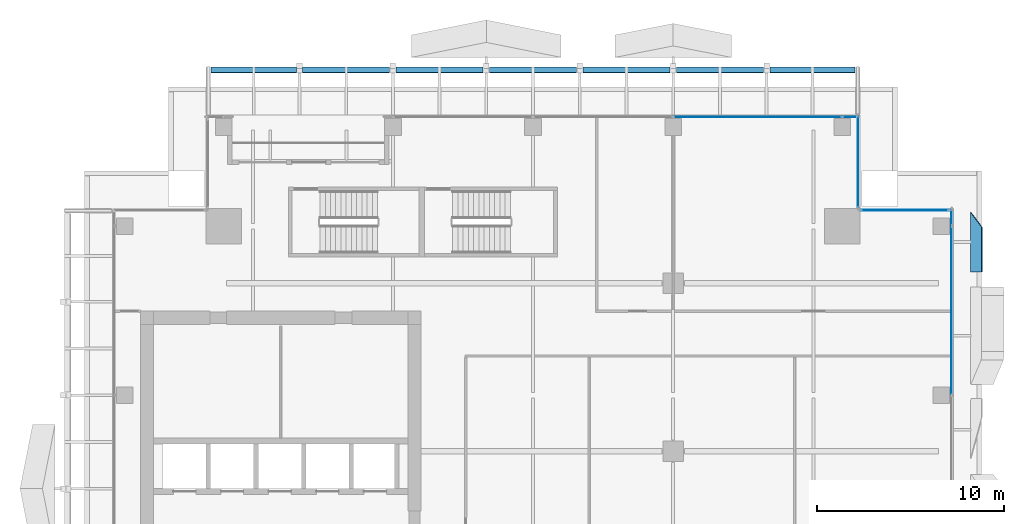
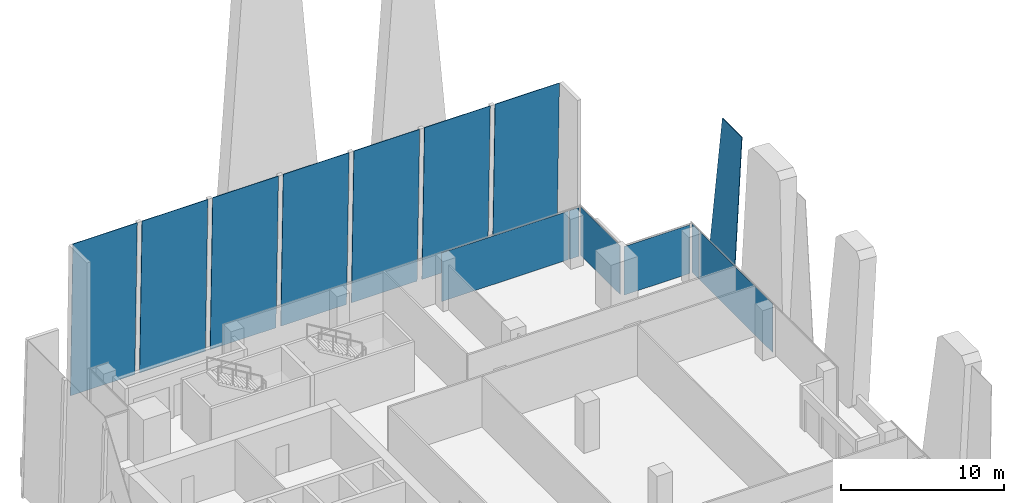
# One storey, part 25 of 33: 14 plates, 4 elements without a shape of their own.
"""IFC4 building model written with IfcOpenShell, lengths in metres."""

from ifc_helpers import new_model, si_unit, direction, frame, origin, origin_2d, place, context, subcontext, project, spatial, polyline, rectangle, outline, extrude, source, transform, mapped, material, layer, layer_set, type_object, element, aggregate, save


model = new_model("IFC4")

# Units and contexts
model_context = context("Model", 3, precision=1e-05, world=origin(), true_north=direction((0.0, 1.0)))
body_context = subcontext(model_context, "Body", "Model", "MODEL_VIEW")
ifc_project = project(units=[si_unit("LENGTHUNIT", "METRE"), si_unit("AREAUNIT", "SQUARE_METRE"), si_unit("VOLUMEUNIT", "CUBIC_METRE"), si_unit("PLANEANGLEUNIT", "RADIAN"), si_unit("MASSUNIT", "GRAM", prefix="KILO")], contexts=[model_context])

# Site, building, storey
site_placement = place(None, origin())
site = spatial("IfcSite", under=ifc_project, at=site_placement, CompositionType="ELEMENT")
building_placement = place(site_placement, origin())
building = spatial("IfcBuilding", under=site, at=building_placement, Name="Khomas Fold Tower", CompositionType="ELEMENT")
storey_placement = place(building_placement, frame((0.0, 0.0, 222.199951171875)))
storey = spatial("IfcBuildingStorey", under=building, at=storey_placement, Name="L49", CompositionType="ELEMENT", Elevation=222.199951171875)

# Plates
ifc_material_1 = material(Name="Clear laminated glass", Category="glass")
ifc_layer_1 = layer(ifc_material_1, 0.0400390625)
ifc_layer_set_1 = layer_set([ifc_layer_1], Name="Clear laminated glass")
plate_type_1 = type_object("IfcPlateType", Name="SK-Clear laminated glass leaf", PredefinedType="SHEET", material=ifc_layer_set_1)
plate_1_placement = place(storey_placement, frame((51.00537109375, 41.10009765625, 11.550048828125), z_axis=(-0.99862882819, 0.0, 0.052349436554), x_axis=(0.0, 1.0, 0.0)))
element("IfcPlate", 1, at=plate_1_placement, inside=storey, type_object=plate_type_1, Name="OUTER SKIN glass L49 EG104-3", PredefinedType="SHEET", context=body_context, shape_type="SweptSolid", body=[
    extrude(outline(polyline([(0.0, 0.0), (2.39990234375, 0.0), (3.199462890625, 11.565907674683308), (0.0, 11.565907674683308), (0.0, 0.0)])), origin(), (0.0, 0.0, -1.0), 0.0400390625),
])
plate_2_placement = place(storey_placement, frame((9.77001953125, 52.079345703125, 0.0009765625), z_axis=(0.0, 0.999657230839, 0.026180543005), x_axis=(1.0, 0.0, 0.0)))
element("IfcPlate", 2, at=plate_2_placement, inside=storey, type_object=plate_type_1, Name="OUTER SKIN glass L49 N1", PredefinedType="SHEET", context=body_context, shape_type="SweptSolid", body=[
    extrude(outline(polyline([(0.0, 0.0), (4.56005859375, 0.0), (4.56005859375, -11.554009186164079), (0.0, -11.554009186164079), (0.0, 0.0)])), origin(), (0.0, 0.0, -1.0), 0.0400390625),
])
for number, where, z_axis, x_axis, name in (
    (3, (14.669921875, 52.079345703125, 0.0009765625), (0.0, 0.999657230839, 0.026180543005), (1.0, 0.0, 0.0), "OUTER SKIN glass L49 N3"),
    (4, (19.669921875, 52.079345703125, 0.0009765625), (0.0, 0.999657230839, 0.026180543005), (1.0, 0.0, 0.0), "OUTER SKIN glass L49 N5"),
    (5, (24.669921875, 52.079345703125, 0.0009765625), (0.0, 0.999657230839, 0.026180543005), (1.0, 0.0, 0.0), "OUTER SKIN glass L49 N7"),
    (6, (29.669921875, 52.079345703125, 0.0009765625), (0.0, 0.999657230839, 0.026180543005), (1.0, 0.0, 0.0), "OUTER SKIN glass L49 N9"),
    (7, (34.669921875, 52.079345703125, 0.0009765625), (0.0, 0.999657230839, 0.026180543005), (1.0, 0.0, 0.0), "OUTER SKIN glass L49 N11"),
):
    element("IfcPlate", number, at=place(storey_placement, frame(where, z_axis=z_axis, x_axis=x_axis)), inside=storey, type_object=plate_type_1, Name=name, PredefinedType="SHEET", context=body_context, shape_type="SweptSolid", body=[
        extrude(outline(polyline([(0.0, 0.0), (4.66015625, 0.0), (4.66015625, -11.554009186164079), (0.0, -11.554009186164079), (0.0, 0.0)])), origin(), (0.0, 0.0, -1.0), 0.0400390625),
    ])
plate_3_placement = place(storey_placement, frame((39.669921875, 52.079345703125, 0.0009765625), z_axis=(0.0, 0.999657230839, 0.026180543005), x_axis=(1.0, 0.0, 0.0)))
element("IfcPlate", 8, at=plate_3_placement, inside=storey, type_object=plate_type_1, Name="OUTER SKIN glass L49 N13", PredefinedType="SHEET", context=body_context, shape_type="SweptSolid", body=[
    extrude(outline(polyline([(0.0, 0.0), (4.56005859375, 0.0), (4.56005859375, -11.554009186164079), (0.0, -11.554009186164079), (0.0, 0.0)])), origin(), (0.0, 0.0, -1.0), 0.0400390625),
])

# Curtain wall, plate
ifc_material_2 = material(Name="Aluminium framed double glazing", Category="aluminium")
curtain_wall_type = type_object("IfcCurtainWallType", Name="SK-Unitised clear-glass wall, office floors CW2", PredefinedType="NOTDEFINED", material=ifc_material_2)
curtain_wall_1_placement = place(storey_placement, origin())
curtain_wall_1 = element("IfcCurtainWall", 9, at=curtain_wall_1_placement, inside=storey, type_object=curtain_wall_type, Name="CW2 run L49 06-0", PredefinedType="NOTDEFINED")
ifc_material_3 = material(Name="Clear double glazed unit")
ifc_layer_2 = layer(ifc_material_3, 0.030029296875)
ifc_layer_set_2 = layer_set([ifc_layer_2], Name="Clear double glazed unit")
plate_type_2 = type_object("IfcPlateType", Name="SK-Unitised clear-glass wall, office floors glass panel CW2-P", PredefinedType="CURTAIN_PANEL", material=ifc_layer_set_2)
shared_shape_1 = source(origin(), body_context, "Body", "SweptSolid", [
    extrude(rectangle(XDim=0.659912109375, YDim=0.030029296875, at=origin_2d()), origin(), (0.0, 0.0, 1.0), 3.639892578125),
])
plate_4_placement = place(storey_placement, frame((43.909912109375, 49.39990234375, 0.0), z_axis=(0.0, 0.0, 1.0), x_axis=(-1.0, 0.0, 0.0)))
plate_4 = element("IfcPlate", 10, at=plate_4_placement, type_object=plate_type_2, Name="CW2 glass panel 1", PredefinedType="CURTAIN_PANEL", context=body_context, shape_type="MappedRepresentation", body=[
    mapped(shared_shape_1, transform((0.0, 0.0, 0.0))),
])

# Curtain wall, plates
curtain_wall_2_placement = place(storey_placement, origin())
curtain_wall_2 = element("IfcCurtainWall", 11, at=curtain_wall_2_placement, inside=storey, type_object=curtain_wall_type, Name="CW2 run L49 03-1", PredefinedType="NOTDEFINED")
shared_shape_2 = source(origin(), body_context, "Body", "SweptSolid", [
    extrude(rectangle(XDim=0.860107421875, YDim=0.030029296875, at=origin_2d()), origin(), (0.0, 0.0, 1.0), 3.639892578125),
])
plate_5_placement = place(storey_placement, frame((49.39990234375, 44.010009765625, 0.0), z_axis=(0.0, 0.0, 1.0), x_axis=(0.0, 1.0, 0.0)))
plate_5 = element("IfcPlate", 12, at=plate_5_placement, type_object=plate_type_2, Name="CW2 glass panel 4", PredefinedType="CURTAIN_PANEL", context=body_context, shape_type="MappedRepresentation", body=[
    mapped(shared_shape_2, transform((0.0, 0.0, 0.0))),
])
shared_shape_3 = source(origin(), body_context, "Body", "SweptSolid", [
    extrude(rectangle(XDim=8.989990234375, YDim=0.030029296875, at=origin_2d()), origin(), (0.0, 0.0, 1.0), 3.639892578125),
])
plate_6_placement = place(storey_placement, frame((49.39990234375, 39.02490234375, 0.0), z_axis=(0.0, 0.0, 1.0), x_axis=(0.0, 1.0, 0.0)))
plate_6 = element("IfcPlate", 13, at=plate_6_placement, type_object=plate_type_2, Name="CW2 glass panel 3", PredefinedType="CURTAIN_PANEL", context=body_context, shape_type="MappedRepresentation", body=[
    mapped(shared_shape_3, transform((0.0, 0.0, 0.0))),
])
aggregate(curtain_wall_2, [plate_6, plate_5])

# Plate
plate_7_placement = place(storey_placement, frame((39.02490234375, 49.39990234375, 0.0), z_axis=(0.0, 0.0, 1.0), x_axis=(-1.0, 0.0, 0.0)))
plate_7 = element("IfcPlate", 14, at=plate_7_placement, type_object=plate_type_2, Name="CW2 glass panel 2", PredefinedType="CURTAIN_PANEL", context=body_context, shape_type="MappedRepresentation", body=[
    mapped(shared_shape_3, transform((0.0, 0.0, 0.0))),
])

aggregate(curtain_wall_1, [plate_4, plate_7])

# Curtain wall, plate
curtain_wall_3_placement = place(storey_placement, origin())
curtain_wall_3 = element("IfcCurtainWall", 15, at=curtain_wall_3_placement, inside=storey, type_object=curtain_wall_type, Name="CW2 corner return L49 04", PredefinedType="NOTDEFINED")
shared_shape_4 = source(origin(), body_context, "Body", "SweptSolid", [
    extrude(rectangle(XDim=4.679931640625, YDim=0.030029296875, at=origin_2d()), origin(), (0.0, 0.0, 1.0), 3.639892578125),
])
plate_8_placement = place(storey_placement, frame((46.89990234375, 44.39990234375, 0.0), z_axis=(0.0, 0.0, 1.0), x_axis=(-1.0, 0.0, 0.0)))
plate_8 = element("IfcPlate", 16, at=plate_8_placement, type_object=plate_type_2, Name="CW2 glass panel 1", PredefinedType="CURTAIN_PANEL", context=body_context, shape_type="MappedRepresentation", body=[
    mapped(shared_shape_4, transform((0.0, 0.0, 0.0))),
])
aggregate(curtain_wall_3, [plate_8])

curtain_wall_4_placement = place(storey_placement, origin())
curtain_wall_4 = element("IfcCurtainWall", 17, at=curtain_wall_4_placement, inside=storey, type_object=curtain_wall_type, Name="CW2 corner return L49 05", PredefinedType="NOTDEFINED")
shared_shape_5 = source(origin(), body_context, "Body", "SweptSolid", [
    extrude(rectangle(XDim=4.8798828125, YDim=0.030029296875, at=origin_2d()), origin(), (0.0, 0.0, 1.0), 3.639892578125),
])
plate_9_placement = place(storey_placement, frame((44.39990234375, 47.0, 0.0), z_axis=(0.0, 0.0, 1.0), x_axis=(0.0, 1.0, 0.0)))
plate_9 = element("IfcPlate", 18, at=plate_9_placement, type_object=plate_type_2, Name="CW2 glass panel 1", PredefinedType="CURTAIN_PANEL", context=body_context, shape_type="MappedRepresentation", body=[
    mapped(shared_shape_5, transform((0.0, 0.0, 0.0))),
])
aggregate(curtain_wall_4, [plate_9])

save(model, "model.ifc")
